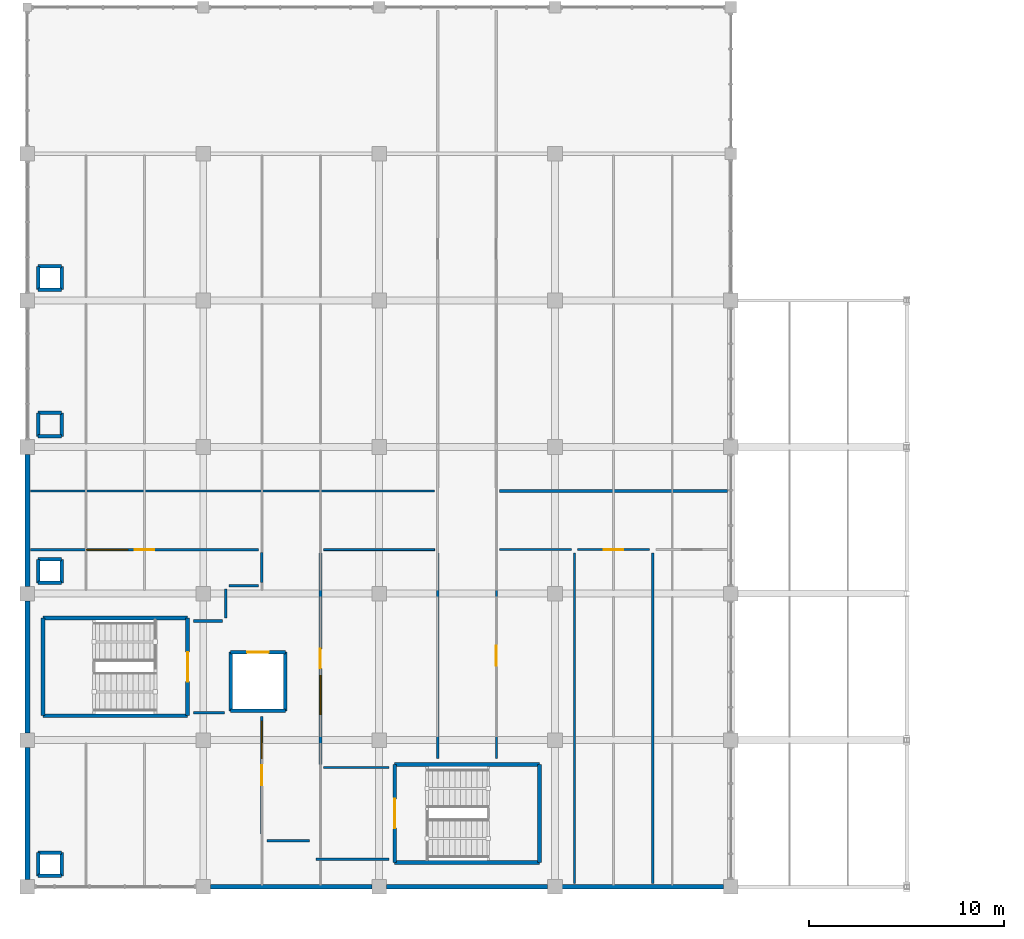
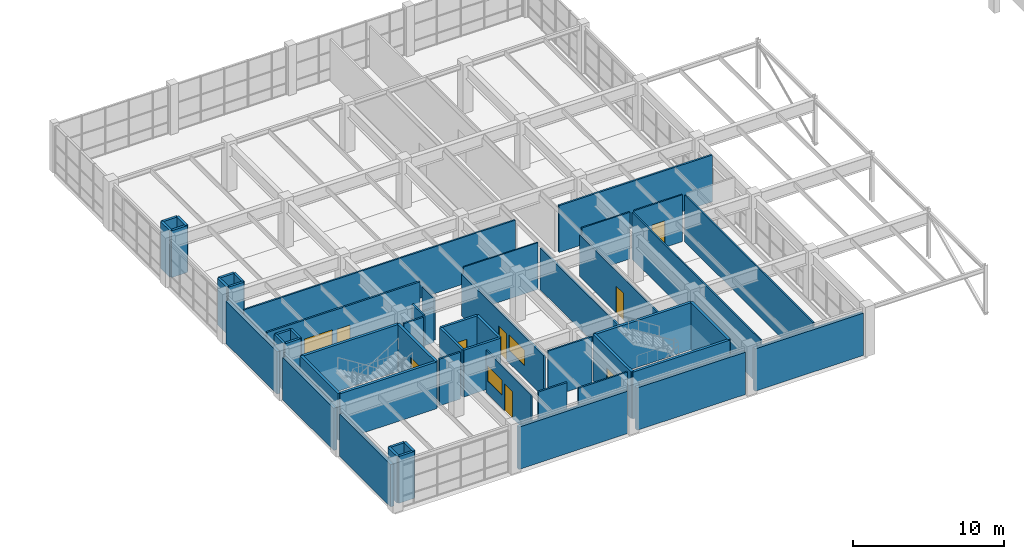
# One storey, part 65 of 76: 54 walls, 8 doors, 3 windows, 11 openings.
"""IFC4 building model written with IfcOpenShell, lengths in metres."""

from ifc_helpers import new_model, si_unit, direction, frame, frame_2d, origin, place, context, subcontext, project, spatial, rectangle, extrude, material, layer, layer_set, type_object, element, fill, save


model = new_model("IFC4")

# Units and contexts
model_context = context("Model", 3, precision=1e-05, world=origin(), true_north=direction((0.0, 1.0)))
body_context = subcontext(model_context, "Body", "Model", "MODEL_VIEW")
ifc_project = project(units=[si_unit("LENGTHUNIT", "METRE"), si_unit("AREAUNIT", "SQUARE_METRE"), si_unit("VOLUMEUNIT", "CUBIC_METRE"), si_unit("PLANEANGLEUNIT", "RADIAN"), si_unit("MASSUNIT", "GRAM", prefix="KILO")], contexts=[model_context])

# Site, building, storey
site_placement = place(None, origin())
site = spatial("IfcSite", under=ifc_project, at=site_placement, CompositionType="ELEMENT")
building_placement = place(site_placement, origin())
building = spatial("IfcBuilding", under=site, at=building_placement, Name="Marnridge Secondary College", CompositionType="ELEMENT")
storey_placement = place(building_placement, frame((0.0, 0.0, 4.5)))
storey = spatial("IfcBuildingStorey", under=building, at=storey_placement, Name="L01", CompositionType="ELEMENT", Elevation=4.5)

# Wall
ifc_material_1 = material(Name="Concrete C40/50 (AS 3600 N40, 40 MPa)", Category="concrete")
ifc_layer_1 = layer(ifc_material_1, 0.199951171875)
ifc_layer_set_1 = layer_set([ifc_layer_1], Name="WT-CORE-RC200")
wall_type_1 = type_object("IfcWallType", Name="WT-CORE-RC200", PredefinedType="SHEAR", material=ifc_layer_set_1)
wall_1_placement = place(storey_placement, frame((0.800048828125, 8.75, 0.0), z_axis=(0.0, 0.0, 1.0), x_axis=(1.0, 0.0, 0.0)))
element("IfcWall", 1, at=wall_1_placement, inside=storey, type_object=wall_type_1, Name="Stair core shear wall WC-L01-0301", PredefinedType="SHEAR", context=body_context, shape_type="SweptSolid", body=[
    extrude(rectangle(XDim=7.39990234375, YDim=0.199951171875, at=frame_2d((3.699951171875, 0.0))), origin(), (0.0, 0.0, 1.0), 3.77001953125),
])

# Wall, opening, door
wall_2_placement = place(storey_placement, frame((8.199951171875, 8.75, 0.0), z_axis=(0.0, 0.0, 1.0), x_axis=(0.0, 1.0, 0.0)))
wall_2 = element("IfcWall", 2, at=wall_2_placement, inside=storey, type_object=wall_type_1, Name="Stair core shear wall WC-L01-0302", PredefinedType="SHEAR", context=body_context, shape_type="SweptSolid", body=[
    extrude(rectangle(XDim=5.0, YDim=0.199951171875, at=frame_2d((2.5, 0.0))), origin(), (0.0, 0.0, 1.0), 3.77001953125),
])
opening_1_placement = place(wall_2_placement, frame((1.75, 0.0, 0.0)))
opening_1 = element("IfcOpeningElement", 3, at=opening_1_placement, cuts=wall_2, Name="Opening DC-L01-014", PredefinedType="OPENING", context=body_context, shape_type="SweptSolid", body=[
    extrude(rectangle(XDim=1.5, YDim=2.14990234375, at=frame_2d((0.75, 1.074951171875))), frame((0.0, 0.10986328125, 0.0), z_axis=(0.0, -1.0, 0.0), x_axis=(1.0, 0.0, 0.0)), (0.0, 0.0, 1.0), 0.219970703125),
])
ifc_material_2 = material(Name="Fire-rated solid-core timber doorset", Category="wood")
door_type_1 = type_object("IfcDoorType", Name="DT-CORE-FD150", OperationType="DOUBLE_DOOR_SINGLE_SWING", PredefinedType="DOOR", material=ifc_material_2)
door_1_placement = place(opening_1_placement, origin())
door_1 = element("IfcDoor", 4, at=door_1_placement, inside=storey, type_object=door_type_1, Name="Fire stair door DC-L01-014", OperationType="DOUBLE_DOOR_SINGLE_SWING", OverallHeight=2.14990234375, OverallWidth=1.5, PredefinedType="DOOR", context=body_context, shape_type="SweptSolid", body=[
    extrude(rectangle(XDim=1.5, YDim=2.14990234375, at=frame_2d((0.75, 1.074951171875))), frame((0.0, 0.02490234375, 0.0), z_axis=(0.0, -1.0, 0.0), x_axis=(1.0, 0.0, 0.0)), (0.0, 0.0, 1.0), 0.050048828125),
])
fill(opening_1, door_1)

# Walls
wall_3_placement = place(storey_placement, frame((8.199951171875, 13.75, 0.0), z_axis=(0.0, 0.0, 1.0), x_axis=(-1.0, 0.0, 0.0)))
element("IfcWall", 5, at=wall_3_placement, inside=storey, type_object=wall_type_1, Name="Stair core shear wall WC-L01-0303", PredefinedType="SHEAR", context=body_context, shape_type="SweptSolid", body=[
    extrude(rectangle(XDim=7.39990234375, YDim=0.199951171875, at=frame_2d((3.699951171875, 0.0))), origin(), (0.0, 0.0, 1.0), 3.77001953125),
])
wall_4_placement = place(storey_placement, frame((0.800048828125, 13.75, 0.0), z_axis=(0.0, 0.0, 1.0), x_axis=(0.0, -1.0, 0.0)))
element("IfcWall", 6, at=wall_4_placement, inside=storey, type_object=wall_type_1, Name="Stair core shear wall WC-L01-0304", PredefinedType="SHEAR", context=body_context, shape_type="SweptSolid", body=[
    extrude(rectangle(XDim=5.0, YDim=0.199951171875, at=frame_2d((2.5, 0.0))), origin(), (0.0, 0.0, 1.0), 3.77001953125),
])
wall_5_placement = place(storey_placement, frame((18.800048828125, 1.25, 0.0), z_axis=(0.0, 0.0, 1.0), x_axis=(1.0, 0.0, 0.0)))
element("IfcWall", 7, at=wall_5_placement, inside=storey, type_object=wall_type_1, Name="Stair core shear wall WC-L01-0321", PredefinedType="SHEAR", context=body_context, shape_type="SweptSolid", body=[
    extrude(rectangle(XDim=7.39990234375, YDim=0.199951171875, at=frame_2d((3.699951171875, 0.0))), origin(), (0.0, 0.0, 1.0), 3.77001953125),
])
wall_6_placement = place(storey_placement, frame((26.199951171875, 1.25, 0.0), z_axis=(0.0, 0.0, 1.0), x_axis=(0.0, 1.0, 0.0)))
element("IfcWall", 8, at=wall_6_placement, inside=storey, type_object=wall_type_1, Name="Stair core shear wall WC-L01-0322", PredefinedType="SHEAR", context=body_context, shape_type="SweptSolid", body=[
    extrude(rectangle(XDim=5.0, YDim=0.199951171875, at=frame_2d((2.5, 0.0))), origin(), (0.0, 0.0, 1.0), 3.77001953125),
])
wall_7_placement = place(storey_placement, frame((26.199951171875, 6.25, 0.0), z_axis=(0.0, 0.0, 1.0), x_axis=(-1.0, 0.0, 0.0)))
element("IfcWall", 9, at=wall_7_placement, inside=storey, type_object=wall_type_1, Name="Stair core shear wall WC-L01-0323", PredefinedType="SHEAR", context=body_context, shape_type="SweptSolid", body=[
    extrude(rectangle(XDim=7.39990234375, YDim=0.199951171875, at=frame_2d((3.699951171875, 0.0))), origin(), (0.0, 0.0, 1.0), 3.77001953125),
])

# Wall, opening, door
wall_8_placement = place(storey_placement, frame((18.800048828125, 6.25, 0.0), z_axis=(0.0, 0.0, 1.0), x_axis=(0.0, -1.0, 0.0)))
wall_8 = element("IfcWall", 10, at=wall_8_placement, inside=storey, type_object=wall_type_1, Name="Stair core shear wall WC-L01-0324", PredefinedType="SHEAR", context=body_context, shape_type="SweptSolid", body=[
    extrude(rectangle(XDim=5.0, YDim=0.199951171875, at=frame_2d((2.5, 0.0))), origin(), (0.0, 0.0, 1.0), 3.77001953125),
])
opening_2_placement = place(wall_8_placement, frame((1.75, 0.0, 0.0)))
opening_2 = element("IfcOpeningElement", 11, at=opening_2_placement, cuts=wall_8, Name="Opening DC-L01-019", PredefinedType="OPENING", context=body_context, shape_type="SweptSolid", body=[
    extrude(rectangle(XDim=1.5, YDim=2.14990234375, at=frame_2d((0.75, 1.074951171875))), frame((0.0, 0.10986328125, 0.0), z_axis=(0.0, -1.0, 0.0), x_axis=(1.0, 0.0, 0.0)), (0.0, 0.0, 1.0), 0.219970703125),
])
door_2_placement = place(opening_2_placement, origin())
door_2 = element("IfcDoor", 12, at=door_2_placement, inside=storey, type_object=door_type_1, Name="Fire stair door DC-L01-019", OperationType="DOUBLE_DOOR_SINGLE_SWING", OverallHeight=2.14990234375, OverallWidth=1.5, PredefinedType="DOOR", context=body_context, shape_type="SweptSolid", body=[
    extrude(rectangle(XDim=1.5, YDim=2.14990234375, at=frame_2d((0.75, 1.074951171875))), frame((0.0, 0.02490234375, 0.0), z_axis=(0.0, -1.0, 0.0), x_axis=(1.0, 0.0, 0.0)), (0.0, 0.0, 1.0), 0.050048828125),
])
fill(opening_2, door_2)

# Walls
ifc_material_3 = material(Name="Concrete C40/50 (AS 3600 N40, 40 MPa)", Category="concrete")
ifc_layer_2 = layer(ifc_material_3, 0.25)
ifc_layer_set_2 = layer_set([ifc_layer_2], Name="WT-EXT-RC250")
wall_type_2 = type_object("IfcWallType", Name="WT-EXT-RC250", PredefinedType="SOLIDWALL", material=ifc_layer_set_2)
for number, where, z_axis, x_axis, name in (
    (13, (35.62890625, 0.0, 0.0), (0.0, 0.0, 1.0), (-1.0, 0.0, 0.0), "Exterior wall WE-L01-0121"),
    (14, (26.62890625, 0.0, 0.0), (0.0, 0.0, 1.0), (-1.0, 0.0, 0.0), "Exterior wall WE-L01-0122"),
    (15, (17.62890625, 0.0, 0.0), (0.0, 0.0, 1.0), (-1.0, 0.0, 0.0), "Exterior wall WE-L01-0123"),
):
    element("IfcWall", number, at=place(storey_placement, frame(where, z_axis=z_axis, x_axis=x_axis)), inside=storey, type_object=wall_type_2, Name=name, PredefinedType="SOLIDWALL", context=body_context, shape_type="SweptSolid", body=[
        extrude(rectangle(XDim=8.2578125, YDim=0.25, at=frame_2d((4.12890625, 0.0))), origin(), (0.0, 0.0, 1.0), 3.409912109375),
    ])
for number, where, z_axis, x_axis, name in (
    (16, (0.0, 0.37109375, 0.0), (0.0, 0.0, 1.0), (0.0, 1.0, 0.0), "Exterior wall WE-L01-0124"),
    (17, (0.0, 7.87109375, 0.0), (0.0, 0.0, 1.0), (0.0, 1.0, 0.0), "Exterior wall WE-L01-0125"),
    (18, (0.0, 15.37109375, 0.0), (0.0, 0.0, 1.0), (0.0, 1.0, 0.0), "Exterior wall WE-L01-0126"),
):
    element("IfcWall", number, at=place(storey_placement, frame(where, z_axis=z_axis, x_axis=x_axis)), inside=storey, type_object=wall_type_2, Name=name, PredefinedType="SOLIDWALL", context=body_context, shape_type="SweptSolid", body=[
        extrude(rectangle(XDim=6.7578125, YDim=0.25, at=frame_2d((3.37890625, 0.0))), origin(), (0.0, 0.0, 1.0), 3.409912109375),
    ])
ifc_material_4 = material(Name="Acoustic plasterboard partition Rw45", Category="gypsum")
ifc_layer_3 = layer(ifc_material_4, 0.1201171875)
ifc_layer_set_3 = layer_set([ifc_layer_3], Name="WT-PART-AC120")
wall_type_3 = type_object("IfcWallType", Name="WT-PART-AC120", PredefinedType="PARTITIONING", material=ifc_layer_set_3)
wall_9_placement = place(storey_placement, frame((18.5, 1.39990234375, 0.0), z_axis=(0.0, 0.0, 1.0), x_axis=(-1.0, 0.0, 0.0)))
element("IfcWall", 19, at=wall_9_placement, inside=storey, type_object=wall_type_3, Name="Interior partition WP-L01-0213", PredefinedType="PARTITIONING", context=body_context, shape_type="SweptSolid", body=[
    extrude(rectangle(XDim=3.739990234375, YDim=0.1201171875, at=frame_2d((1.8701171875, 0.0))), origin(), (0.0, 0.0, 1.0), 3.77001953125),
])

# Wall, openings, door, window
wall_10_placement = place(storey_placement, frame((12.0, 2.7099609375, 0.0), z_axis=(0.0, 0.0, 1.0), x_axis=(0.0, 1.0, 0.0)))
wall_10 = element("IfcWall", 20, at=wall_10_placement, inside=storey, type_object=wall_type_3, Name="Interior partition WP-L01-0215", PredefinedType="PARTITIONING", context=body_context, shape_type="SweptSolid", body=[
    extrude(rectangle(XDim=5.989990234375, YDim=0.1201171875, at=frame_2d((2.9951171875, 0.0))), origin(), (0.0, 0.0, 1.0), 3.362060546875),
])
opening_3_placement = place(wall_10_placement, frame((2.4951171875, 0.0, 0.0)))
opening_3 = element("IfcOpeningElement", 21, at=opening_3_placement, cuts=wall_10, Name="Opening DI-L01-0076", PredefinedType="OPENING", context=body_context, shape_type="SweptSolid", body=[
    extrude(rectangle(XDim=1.0, YDim=2.14990234375, at=frame_2d((0.5, 1.074951171875))), frame((0.0, 0.070068359375, 0.0), z_axis=(0.0, -1.0, 0.0), x_axis=(1.0, 0.0, 0.0)), (0.0, 0.0, 1.0), 0.14013671875),
])
opening_4_placement = place(wall_10_placement, frame((3.844970703125, 0.0, 1.02001953125)))
opening_4 = element("IfcOpeningElement", 22, at=opening_4_placement, cuts=wall_10, Name="Opening WNI-L01-011", PredefinedType="OPENING", context=body_context, shape_type="SweptSolid", body=[
    extrude(rectangle(XDim=1.919921875, YDim=1.239990234375, at=frame_2d((0.9599609375, 0.6201171875))), frame((0.0, 0.070068359375, 0.0), z_axis=(0.0, -1.0, 0.0), x_axis=(1.0, 0.0, 0.0)), (0.0, 0.0, 1.0), 0.14013671875),
])
ifc_material_5 = material(Name="Solid-core acoustic hoop-pine classroom doorset", Category="wood")
door_type_2 = type_object("IfcDoorType", Name="DT-CLS-100", OperationType="NOTDEFINED", PredefinedType="DOOR", material=ifc_material_5)
door_3_placement = place(opening_3_placement, origin())
door_3 = element("IfcDoor", 23, at=door_3_placement, inside=storey, type_object=door_type_2, Name="Interior door DI-L01-0076", OperationType="SINGLE_SWING_RIGHT", OverallHeight=2.14990234375, OverallWidth=1.0, PredefinedType="DOOR", context=body_context, shape_type="SweptSolid", body=[
    extrude(rectangle(XDim=1.0, YDim=2.14990234375, at=frame_2d((0.5, 1.074951171875))), frame((0.0, 0.02490234375, 0.0), z_axis=(0.0, -1.0, 0.0), x_axis=(1.0, 0.0, 0.0)), (0.0, 0.0, 1.0), 0.050048828125),
])
fill(opening_3, door_3)
ifc_material_6 = material(Name="Acoustic laminated interior vision glazing", Category="glass")
window_type_1 = type_object("IfcWindowType", Name="WN-BL-VAR11", PartitioningType="DOUBLE_PANEL_VERTICAL", PredefinedType="WINDOW", material=ifc_material_6)
window_1_placement = place(opening_4_placement, origin())
window_1 = element("IfcWindow", 24, at=window_1_placement, inside=storey, type_object=window_type_1, Name="Interior vision window WNI-L01-011", OverallHeight=1.239990234375, OverallWidth=1.919921875, PartitioningType="DOUBLE_PANEL_VERTICAL", PredefinedType="WINDOW", context=body_context, shape_type="SweptSolid", body=[
    extrude(rectangle(XDim=1.919921875, YDim=1.239990234375, at=frame_2d((0.9599609375, 0.6201171875))), frame((0.0, 0.030029296875, 0.0), z_axis=(0.0, -1.0, 0.0), x_axis=(1.0, 0.0, 0.0)), (0.0, 0.0, 1.0), 0.06005859375),
])
fill(opening_4, window_1)

# Walls
wall_11_placement = place(storey_placement, frame((15.159912109375, 6.10009765625, 0.0), z_axis=(0.0, 0.0, 1.0), x_axis=(1.0, 0.0, 0.0)))
element("IfcWall", 25, at=wall_11_placement, inside=storey, type_object=wall_type_3, Name="Interior partition WP-L01-0219", PredefinedType="PARTITIONING", context=body_context, shape_type="SweptSolid", body=[
    extrude(rectangle(XDim=3.340087890625, YDim=0.1201171875, at=frame_2d((1.669921875, 0.0))), origin(), (0.0, 0.0, 1.0), 3.77001953125),
])
wall_12_placement = place(storey_placement, frame((10.14990234375, 13.760009765625, 0.0), z_axis=(0.0, 0.0, 1.0), x_axis=(0.0, 1.0, 0.0)))
element("IfcWall", 26, at=wall_12_placement, inside=storey, type_object=wall_type_3, Name="Interior partition WP-L01-0221", PredefinedType="PARTITIONING", context=body_context, shape_type="SweptSolid", body=[
    extrude(rectangle(XDim=1.47998046875, YDim=0.1201171875, at=frame_2d((0.739990234375, 0.0))), origin(), (0.0, 0.0, 1.0), 3.77001953125),
])
wall_13_placement = place(storey_placement, frame((12.0, 15.56005859375, 0.0), z_axis=(0.0, 0.0, 1.0), x_axis=(0.0, 1.0, 0.0)))
element("IfcWall", 27, at=wall_13_placement, inside=storey, type_object=wall_type_3, Name="Interior partition WP-L01-0223", PredefinedType="PARTITIONING", context=body_context, shape_type="SweptSolid", body=[
    extrude(rectangle(XDim=1.530029296875, YDim=0.1201171875, at=frame_2d((0.76513671875, 0.0))), origin(), (0.0, 0.0, 1.0), 3.362060546875),
])
wall_14_placement = place(storey_placement, frame((0.159912109375, 20.25, 0.0), z_axis=(0.0, 0.0, 1.0), x_axis=(1.0, 0.0, 0.0)))
element("IfcWall", 28, at=wall_14_placement, inside=storey, type_object=wall_type_3, Name="Interior partition WP-L01-0225", PredefinedType="PARTITIONING", context=body_context, shape_type="SweptSolid", body=[
    extrude(rectangle(XDim=20.68017578125, YDim=0.1201171875, at=frame_2d((10.340087890625, 0.0))), origin(), (0.0, 0.0, 1.0), 3.77001953125),
])
ifc_material_7 = material(Name="Acoustic plasterboard partition Rw48", Category="gypsum")
ifc_layer_4 = layer(ifc_material_7, 0.135009765625)
ifc_layer_set_4 = layer_set([ifc_layer_4], Name="WT-PART-AC135")
wall_type_4 = type_object("IfcWallType", Name="WT-PART-AC135", PredefinedType="PARTITIONING", material=ifc_layer_set_4)
wall_15_placement = place(storey_placement, frame((10.10009765625, 8.89990234375, 0.0), z_axis=(0.0, 0.0, 1.0), x_axis=(-1.0, 0.0, 0.0)))
element("IfcWall", 29, at=wall_15_placement, inside=storey, type_object=wall_type_4, Name="Interior partition WP-L01-0212", PredefinedType="PARTITIONING", context=body_context, shape_type="SweptSolid", body=[
    extrude(rectangle(XDim=1.60009765625, YDim=0.135009765625, at=frame_2d((0.800048828125, 0.0))), origin(), (0.0, 0.0, 1.0), 3.77001953125),
])
wall_16_placement = place(storey_placement, frame((14.43994140625, 2.35009765625, 0.0), z_axis=(0.0, 0.0, 1.0), x_axis=(-1.0, 0.0, 0.0)))
element("IfcWall", 30, at=wall_16_placement, inside=storey, type_object=wall_type_4, Name="Interior partition WP-L01-0214", PredefinedType="PARTITIONING", context=body_context, shape_type="SweptSolid", body=[
    extrude(rectangle(XDim=2.179931640625, YDim=0.135009765625, at=frame_2d((1.08984375, 0.0))), origin(), (0.0, 0.0, 1.0), 3.77001953125),
])
wall_17_placement = place(storey_placement, frame((21.0, 6.550048828125, 0.0), z_axis=(0.0, 0.0, 1.0), x_axis=(0.0, 1.0, 0.0)))
element("IfcWall", 31, at=wall_17_placement, inside=storey, type_object=wall_type_4, Name="Interior partition WP-L01-0216", PredefinedType="PARTITIONING", context=body_context, shape_type="SweptSolid", body=[
    extrude(rectangle(XDim=10.5400390625, YDim=0.135009765625, at=frame_2d((5.27001953125, 0.0))), origin(), (0.0, 0.0, 1.0), 3.362060546875),
])

# Wall, openings, door, window
wall_18_placement = place(storey_placement, frame((15.0, 17.090087890625, 0.0), z_axis=(0.0, 0.0, 1.0), x_axis=(0.0, -1.0, 0.0)))
wall_18 = element("IfcWall", 32, at=wall_18_placement, inside=storey, type_object=wall_type_4, Name="Interior partition WP-L01-0218", PredefinedType="PARTITIONING", context=body_context, shape_type="SweptSolid", body=[
    extrude(rectangle(XDim=10.830078125, YDim=0.135009765625, at=frame_2d((5.4150390625, 0.0))), origin(), (0.0, 0.0, 1.0), 3.362060546875),
])
opening_5_placement = place(wall_18_placement, frame((4.9150390625, 0.0, 0.0)))
opening_5 = element("IfcOpeningElement", 33, at=opening_5_placement, cuts=wall_18, Name="Opening DI-L01-0077", PredefinedType="OPENING", context=body_context, shape_type="SweptSolid", body=[
    extrude(rectangle(XDim=1.0, YDim=2.14990234375, at=frame_2d((0.5, 1.074951171875))), frame((0.0, 0.077392578125, 0.0), z_axis=(0.0, -1.0, 0.0), x_axis=(1.0, 0.0, 0.0)), (0.0, 0.0, 1.0), 0.155029296875),
])
opening_6_placement = place(wall_18_placement, frame((6.264892578125, 0.0, 1.02001953125)))
opening_6 = element("IfcOpeningElement", 34, at=opening_6_placement, cuts=wall_18, Name="Opening WNI-L01-012", PredefinedType="OPENING", context=body_context, shape_type="SweptSolid", body=[
    extrude(rectangle(XDim=2.02001953125, YDim=1.239990234375, at=frame_2d((1.010009765625, 0.6201171875))), frame((0.0, 0.077392578125, 0.0), z_axis=(0.0, -1.0, 0.0), x_axis=(1.0, 0.0, 0.0)), (0.0, 0.0, 1.0), 0.155029296875),
])
door_4_placement = place(opening_5_placement, origin())
door_4 = element("IfcDoor", 35, at=door_4_placement, inside=storey, type_object=door_type_2, Name="Interior door DI-L01-0077", OperationType="SINGLE_SWING_LEFT", OverallHeight=2.14990234375, OverallWidth=1.0, PredefinedType="DOOR", context=body_context, shape_type="SweptSolid", body=[
    extrude(rectangle(XDim=1.0, YDim=2.14990234375, at=frame_2d((0.5, 1.074951171875))), frame((0.0, 0.02490234375, 0.0), z_axis=(0.0, -1.0, 0.0), x_axis=(1.0, 0.0, 0.0)), (0.0, 0.0, 1.0), 0.050048828125),
])
fill(opening_5, door_4)
ifc_material_8 = material(Name="Acoustic laminated interior vision glazing", Category="glass")
window_type_2 = type_object("IfcWindowType", Name="WN-BL-VAR12", PartitioningType="DOUBLE_PANEL_VERTICAL", PredefinedType="WINDOW", material=ifc_material_8)
window_2_placement = place(opening_6_placement, origin())
window_2 = element("IfcWindow", 36, at=window_2_placement, inside=storey, type_object=window_type_2, Name="Interior vision window WNI-L01-012", OverallHeight=1.239990234375, OverallWidth=2.02001953125, PartitioningType="DOUBLE_PANEL_VERTICAL", PredefinedType="WINDOW", context=body_context, shape_type="SweptSolid", body=[
    extrude(rectangle(XDim=2.02001953125, YDim=1.239990234375, at=frame_2d((1.010009765625, 0.6201171875))), frame((0.0, 0.030029296875, 0.0), z_axis=(0.0, -1.0, 0.0), x_axis=(1.0, 0.0, 0.0)), (0.0, 0.0, 1.0), 0.06005859375),
])
fill(opening_6, window_2)

# Walls
wall_19_placement = place(storey_placement, frame((8.5, 13.60009765625, 0.0), z_axis=(0.0, 0.0, 1.0), x_axis=(1.0, 0.0, 0.0)))
element("IfcWall", 37, at=wall_19_placement, inside=storey, type_object=wall_type_4, Name="Interior partition WP-L01-0220", PredefinedType="PARTITIONING", context=body_context, shape_type="SweptSolid", body=[
    extrude(rectangle(XDim=1.489990234375, YDim=0.135009765625, at=frame_2d((0.7451171875, 0.0))), origin(), (0.0, 0.0, 1.0), 3.77001953125),
])
wall_20_placement = place(storey_placement, frame((10.31005859375, 15.39990234375, 0.0), z_axis=(0.0, 0.0, 1.0), x_axis=(1.0, 0.0, 0.0)))
element("IfcWall", 38, at=wall_20_placement, inside=storey, type_object=wall_type_4, Name="Interior partition WP-L01-0222", PredefinedType="PARTITIONING", context=body_context, shape_type="SweptSolid", body=[
    extrude(rectangle(XDim=1.530029296875, YDim=0.135009765625, at=frame_2d((0.76513671875, 0.0))), origin(), (0.0, 0.0, 1.0), 2.77197265625),
])

# Wall, openings, door, window
wall_21_placement = place(storey_placement, frame((11.840087890625, 17.25, 0.0), z_axis=(0.0, 0.0, 1.0), x_axis=(-1.0, 0.0, 0.0)))
wall_21 = element("IfcWall", 39, at=wall_21_placement, inside=storey, type_object=wall_type_4, Name="Interior partition WP-L01-0224", PredefinedType="PARTITIONING", context=body_context, shape_type="SweptSolid", body=[
    extrude(rectangle(XDim=11.68017578125, YDim=0.135009765625, at=frame_2d((5.840087890625, 0.0))), origin(), (0.0, 0.0, 1.0), 3.77001953125),
])
opening_7_placement = place(wall_21_placement, frame((5.340087890625, 0.0, 0.0)))
opening_7 = element("IfcOpeningElement", 40, at=opening_7_placement, cuts=wall_21, Name="Opening DI-L01-0078", PredefinedType="OPENING", context=body_context, shape_type="SweptSolid", body=[
    extrude(rectangle(XDim=1.0, YDim=2.14990234375, at=frame_2d((0.5, 1.074951171875))), frame((0.0, 0.077392578125, 0.0), z_axis=(0.0, -1.0, 0.0), x_axis=(1.0, 0.0, 0.0)), (0.0, 0.0, 1.0), 0.155029296875),
])
opening_8_placement = place(wall_21_placement, frame((6.68994140625, 0.0, 1.02001953125)))
opening_8 = element("IfcOpeningElement", 41, at=opening_8_placement, cuts=wall_21, Name="Opening WNI-L01-013", PredefinedType="OPENING", context=body_context, shape_type="SweptSolid", body=[
    extrude(rectangle(XDim=2.139892578125, YDim=1.219970703125, at=frame_2d((1.06982421875, 0.60986328125))), frame((0.0, 0.077392578125, 0.0), z_axis=(0.0, -1.0, 0.0), x_axis=(1.0, 0.0, 0.0)), (0.0, 0.0, 1.0), 0.155029296875),
])
door_5_placement = place(opening_7_placement, origin())
door_5 = element("IfcDoor", 42, at=door_5_placement, inside=storey, type_object=door_type_2, Name="Interior door DI-L01-0078", OperationType="SINGLE_SWING_RIGHT", OverallHeight=2.14990234375, OverallWidth=1.0, PredefinedType="DOOR", context=body_context, shape_type="SweptSolid", body=[
    extrude(rectangle(XDim=1.0, YDim=2.14990234375, at=frame_2d((0.5, 1.074951171875))), frame((0.0, 0.02490234375, 0.0), z_axis=(0.0, -1.0, 0.0), x_axis=(1.0, 0.0, 0.0)), (0.0, 0.0, 1.0), 0.050048828125),
])
fill(opening_7, door_5)
ifc_material_9 = material(Name="Acoustic laminated interior vision glazing", Category="glass")
window_type_3 = type_object("IfcWindowType", Name="WN-BL-VAR13", PartitioningType="DOUBLE_PANEL_VERTICAL", PredefinedType="WINDOW", material=ifc_material_9)
window_3_placement = place(opening_8_placement, origin())
window_3 = element("IfcWindow", 43, at=window_3_placement, inside=storey, type_object=window_type_3, Name="Interior vision window WNI-L01-013", OverallHeight=1.219970703125, OverallWidth=2.139892578125, PartitioningType="DOUBLE_PANEL_VERTICAL", PredefinedType="WINDOW", context=body_context, shape_type="SweptSolid", body=[
    extrude(rectangle(XDim=2.139892578125, YDim=1.219970703125, at=frame_2d((1.06982421875, 0.60986328125))), frame((0.0, 0.030029296875, 0.0), z_axis=(0.0, -1.0, 0.0), x_axis=(1.0, 0.0, 0.0)), (0.0, 0.0, 1.0), 0.06005859375),
])
fill(opening_8, window_3)

# Walls
wall_22_placement = place(storey_placement, frame((24.159912109375, 20.25, 0.0), z_axis=(0.0, 0.0, 1.0), x_axis=(1.0, 0.0, 0.0)))
element("IfcWall", 44, at=wall_22_placement, inside=storey, type_object=wall_type_4, Name="Interior partition WP-L01-0228", PredefinedType="PARTITIONING", context=body_context, shape_type="SweptSolid", body=[
    extrude(rectangle(XDim=11.68017578125, YDim=0.135009765625, at=frame_2d((5.840087890625, 0.0))), origin(), (0.0, 0.0, 1.0), 3.77001953125),
])
ifc_material_10 = material(Name="Acoustic glazed studio partition system", Category="gypsum")
ifc_layer_5 = layer(ifc_material_10, 0.10009765625)
ifc_layer_set_5 = layer_set([ifc_layer_5], Name="WT-PART-GL100")
wall_type_5 = type_object("IfcWallType", Name="WT-PART-GL100", PredefinedType="PARTITIONING", material=ifc_layer_set_5)
wall_23_placement = place(storey_placement, frame((20.840087890625, 17.25, 0.0), z_axis=(0.0, 0.0, 1.0), x_axis=(-1.0, 0.0, 0.0)))
element("IfcWall", 45, at=wall_23_placement, inside=storey, type_object=wall_type_5, Name="Interior partition WP-L01-0217", PredefinedType="PARTITIONING", context=body_context, shape_type="SweptSolid", body=[
    extrude(rectangle(XDim=5.68017578125, YDim=0.10009765625, at=frame_2d((2.840087890625, 0.0))), origin(), (0.0, 0.0, 1.0), 3.77001953125),
])
ifc_material_11 = material(Name="Moisture-resistant plasterboard sanitary partition", Category="gypsum")
ifc_layer_6 = layer(ifc_material_11, 0.110107421875)
ifc_layer_set_6 = layer_set([ifc_layer_6], Name="WT-PART-WT110")
wall_type_6 = type_object("IfcWallType", Name="WT-PART-WT110", PredefinedType="PARTITIONING", material=ifc_layer_set_6)
wall_24_placement = place(storey_placement, frame((28.0, 0.159912109375, 0.0), z_axis=(0.0, 0.0, 1.0), x_axis=(0.0, 1.0, 0.0)))
element("IfcWall", 46, at=wall_24_placement, inside=storey, type_object=wall_type_6, Name="Interior partition WP-L01-0206", PredefinedType="PARTITIONING", context=body_context, shape_type="SweptSolid", body=[
    extrude(rectangle(XDim=16.93017578125, YDim=0.110107421875, at=frame_2d((8.465087890625, 0.0))), origin(), (0.0, 0.0, 1.0), 3.77001953125),
])

# Wall, opening, door
wall_25_placement = place(storey_placement, frame((24.0, 17.090087890625, 0.0), z_axis=(0.0, 0.0, 1.0), x_axis=(0.0, -1.0, 0.0)))
wall_25 = element("IfcWall", 47, at=wall_25_placement, inside=storey, type_object=wall_type_6, Name="Interior partition WP-L01-0207", PredefinedType="PARTITIONING", context=body_context, shape_type="SweptSolid", body=[
    extrude(rectangle(XDim=10.5400390625, YDim=0.110107421875, at=frame_2d((5.27001953125, 0.0))), origin(), (0.0, 0.0, 1.0), 3.362060546875),
])
opening_9_placement = place(wall_25_placement, frame((4.77001953125, 0.0, 0.0)))
opening_9 = element("IfcOpeningElement", 48, at=opening_9_placement, cuts=wall_25, Name="Opening DI-L01-0073", PredefinedType="OPENING", context=body_context, shape_type="SweptSolid", body=[
    extrude(rectangle(XDim=1.0, YDim=2.14990234375, at=frame_2d((0.5, 1.074951171875))), frame((0.0, 0.06494140625, 0.0), z_axis=(0.0, -1.0, 0.0), x_axis=(1.0, 0.0, 0.0)), (0.0, 0.0, 1.0), 0.130126953125),
])
door_6_placement = place(opening_9_placement, origin())
door_6 = element("IfcDoor", 49, at=door_6_placement, inside=storey, type_object=door_type_2, Name="Interior door DI-L01-0073", OperationType="SINGLE_SWING_LEFT", OverallHeight=2.14990234375, OverallWidth=1.0, PredefinedType="DOOR", context=body_context, shape_type="SweptSolid", body=[
    extrude(rectangle(XDim=1.0, YDim=2.14990234375, at=frame_2d((0.5, 1.074951171875))), frame((0.0, 0.02490234375, 0.0), z_axis=(0.0, -1.0, 0.0), x_axis=(1.0, 0.0, 0.0)), (0.0, 0.0, 1.0), 0.050048828125),
])
fill(opening_9, door_6)

# Walls
wall_26_placement = place(storey_placement, frame((27.840087890625, 17.25, 0.0), z_axis=(0.0, 0.0, 1.0), x_axis=(-1.0, 0.0, 0.0)))
element("IfcWall", 50, at=wall_26_placement, inside=storey, type_object=wall_type_6, Name="Interior partition WP-L01-0208", PredefinedType="PARTITIONING", context=body_context, shape_type="SweptSolid", body=[
    extrude(rectangle(XDim=3.68017578125, YDim=0.110107421875, at=frame_2d((1.840087890625, 0.0))), origin(), (0.0, 0.0, 1.0), 3.77001953125),
])
wall_27_placement = place(storey_placement, frame((32.0, 0.159912109375, 0.0), z_axis=(0.0, 0.0, 1.0), x_axis=(0.0, 1.0, 0.0)))
element("IfcWall", 51, at=wall_27_placement, inside=storey, type_object=wall_type_6, Name="Interior partition WP-L01-0209", PredefinedType="PARTITIONING", context=body_context, shape_type="SweptSolid", body=[
    extrude(rectangle(XDim=16.93017578125, YDim=0.110107421875, at=frame_2d((8.465087890625, 0.0))), origin(), (0.0, 0.0, 1.0), 3.77001953125),
])

# Wall, opening, door
wall_28_placement = place(storey_placement, frame((31.840087890625, 17.25, 0.0), z_axis=(0.0, 0.0, 1.0), x_axis=(-1.0, 0.0, 0.0)))
wall_28 = element("IfcWall", 52, at=wall_28_placement, inside=storey, type_object=wall_type_6, Name="Interior partition WP-L01-0210", PredefinedType="PARTITIONING", context=body_context, shape_type="SweptSolid", body=[
    extrude(rectangle(XDim=3.68017578125, YDim=0.110107421875, at=frame_2d((1.840087890625, 0.0))), origin(), (0.0, 0.0, 1.0), 3.77001953125),
])
opening_10_placement = place(wall_28_placement, frame((1.340087890625, 0.0, 0.0)))
opening_10 = element("IfcOpeningElement", 53, at=opening_10_placement, cuts=wall_28, Name="Opening DI-L01-0074", PredefinedType="OPENING", context=body_context, shape_type="SweptSolid", body=[
    extrude(rectangle(XDim=1.0, YDim=2.14990234375, at=frame_2d((0.5, 1.074951171875))), frame((0.0, 0.06494140625, 0.0), z_axis=(0.0, -1.0, 0.0), x_axis=(1.0, 0.0, 0.0)), (0.0, 0.0, 1.0), 0.130126953125),
])
door_7_placement = place(opening_10_placement, origin())
door_7 = element("IfcDoor", 54, at=door_7_placement, inside=storey, type_object=door_type_2, Name="Interior door DI-L01-0074", OperationType="SINGLE_SWING_RIGHT", OverallHeight=2.14990234375, OverallWidth=1.0, PredefinedType="DOOR", context=body_context, shape_type="SweptSolid", body=[
    extrude(rectangle(XDim=1.0, YDim=2.14990234375, at=frame_2d((0.5, 1.074951171875))), frame((0.0, 0.02490234375, 0.0), z_axis=(0.0, -1.0, 0.0), x_axis=(1.0, 0.0, 0.0)), (0.0, 0.0, 1.0), 0.050048828125),
])
fill(opening_10, door_7)

# Walls
ifc_material_12 = material(Name="Concrete C40/50 (AS 3600 N40, 40 MPa)", Category="concrete")
ifc_layer_7 = layer(ifc_material_12, 0.179931640625)
ifc_layer_set_7 = layer_set([ifc_layer_7], Name="WT-SHAFT-RC180")
wall_type_7 = type_object("IfcWallType", Name="WT-SHAFT-RC180", PredefinedType="SHEAR", material=ifc_layer_set_7)
for number, where, z_axis, x_axis, name in (
    (55, (1.75, 0.550048828125, 0.0), (0.0, 0.0, 1.0), (-1.0, 0.0, 0.0), "Service riser shaft wall WR-L01-0101"),
    (56, (0.550048828125, 0.550048828125, 0.0), (0.0, 0.0, 1.0), (0.0, 1.0, 0.0), "Service riser shaft wall WR-L01-0102"),
    (57, (0.550048828125, 1.75, 0.0), (0.0, 0.0, 1.0), (1.0, 0.0, 0.0), "Service riser shaft wall WR-L01-0103"),
    (58, (1.75, 1.75, 0.0), (0.0, 0.0, 1.0), (0.0, -1.0, 0.0), "Service riser shaft wall WR-L01-0104"),
    (59, (1.75, 15.550048828125, 0.0), (0.0, 0.0, 1.0), (-1.0, 0.0, 0.0), "Service riser shaft wall WR-L01-0105"),
    (60, (0.550048828125, 15.550048828125, 0.0), (0.0, 0.0, 1.0), (0.0, 1.0, 0.0), "Service riser shaft wall WR-L01-0106"),
    (61, (0.550048828125, 16.75, 0.0), (0.0, 0.0, 1.0), (1.0, 0.0, 0.0), "Service riser shaft wall WR-L01-0107"),
    (62, (1.75, 16.75, 0.0), (0.0, 0.0, 1.0), (0.0, -1.0, 0.0), "Service riser shaft wall WR-L01-0108"),
    (63, (1.75, 30.550048828125, 0.0), (0.0, 0.0, 1.0), (-1.0, 0.0, 0.0), "Service riser shaft wall WR-L01-0109"),
    (64, (0.550048828125, 30.550048828125, 0.0), (0.0, 0.0, 1.0), (0.0, 1.0, 0.0), "Service riser shaft wall WR-L01-0110"),
    (65, (0.550048828125, 31.75, 0.0), (0.0, 0.0, 1.0), (1.0, 0.0, 0.0), "Service riser shaft wall WR-L01-0111"),
    (66, (1.75, 31.75, 0.0), (0.0, 0.0, 1.0), (0.0, -1.0, 0.0), "Service riser shaft wall WR-L01-0112"),
    (67, (1.75, 23.050048828125, 0.0), (0.0, 0.0, 1.0), (-1.0, 0.0, 0.0), "Service riser shaft wall WR-L01-0117"),
    (68, (0.550048828125, 23.050048828125, 0.0), (0.0, 0.0, 1.0), (0.0, 1.0, 0.0), "Service riser shaft wall WR-L01-0118"),
    (69, (0.550048828125, 24.25, 0.0), (0.0, 0.0, 1.0), (1.0, 0.0, 0.0), "Service riser shaft wall WR-L01-0119"),
    (70, (1.75, 24.25, 0.0), (0.0, 0.0, 1.0), (0.0, -1.0, 0.0), "Service riser shaft wall WR-L01-0120"),
):
    element("IfcWall", number, at=place(storey_placement, frame(where, z_axis=z_axis, x_axis=x_axis)), inside=storey, type_object=wall_type_7, Name=name, PredefinedType="SHEAR", context=body_context, shape_type="SweptSolid", body=[
        extrude(rectangle(XDim=1.199951171875, YDim=0.179931640625, at=frame_2d((0.60009765625, 0.0))), origin(), (0.0, 0.0, 1.0), 3.77001953125),
    ])
wall_29_placement = place(storey_placement, frame((13.199951171875, 9.0, 0.0), z_axis=(0.0, 0.0, 1.0), x_axis=(-1.0, 0.0, 0.0)))
element("IfcWall", 71, at=wall_29_placement, inside=storey, type_object=wall_type_7, Name="Lift shaft wall WL-L01-0437", PredefinedType="SHEAR", context=body_context, shape_type="SweptSolid", body=[
    extrude(rectangle(XDim=2.800048828125, YDim=0.179931640625, at=frame_2d((1.39990234375, 0.0))), origin(), (0.0, 0.0, 1.0), 3.77001953125),
])
wall_30_placement = place(storey_placement, frame((10.39990234375, 9.0, 0.0), z_axis=(0.0, 0.0, 1.0), x_axis=(0.0, 1.0, 0.0)))
element("IfcWall", 72, at=wall_30_placement, inside=storey, type_object=wall_type_7, Name="Lift shaft wall WL-L01-0438", PredefinedType="SHEAR", context=body_context, shape_type="SweptSolid", body=[
    extrude(rectangle(XDim=3.0, YDim=0.179931640625, at=frame_2d((1.5, 0.0))), origin(), (0.0, 0.0, 1.0), 3.77001953125),
])

# Wall, opening, door
wall_31_placement = place(storey_placement, frame((10.39990234375, 12.0, 0.0), z_axis=(0.0, 0.0, 1.0), x_axis=(1.0, 0.0, 0.0)))
wall_31 = element("IfcWall", 73, at=wall_31_placement, inside=storey, type_object=wall_type_7, Name="Lift shaft wall WL-L01-0439", PredefinedType="SHEAR", context=body_context, shape_type="SweptSolid", body=[
    extrude(rectangle(XDim=2.800048828125, YDim=0.179931640625, at=frame_2d((1.39990234375, 0.0))), origin(), (0.0, 0.0, 1.0), 3.77001953125),
])
opening_11_placement = place(wall_31_placement, frame((0.85009765625, 0.0, 0.0)))
opening_11 = element("IfcOpeningElement", 74, at=opening_11_placement, cuts=wall_31, Name="Opening LD-LC-02-L01", PredefinedType="OPENING", context=body_context, shape_type="SweptSolid", body=[
    extrude(rectangle(XDim=1.10009765625, YDim=2.14990234375, at=frame_2d((0.550048828125, 1.074951171875))), frame((0.0, 0.099853515625, 0.0), z_axis=(0.0, -1.0, 0.0), x_axis=(1.0, 0.0, 0.0)), (0.0, 0.0, 1.0), 0.199951171875),
])
ifc_material_13 = material(Name="Stainless steel Grade 350 automatic sliding lift landing doorset", Category="steel")
door_type_3 = type_object("IfcDoorType", Name="DT-LIFT-LD110", OperationType="SLIDING_TO_LEFT", PredefinedType="DOOR", material=ifc_material_13)
door_8_placement = place(opening_11_placement, origin())
door_8 = element("IfcDoor", 75, at=door_8_placement, inside=storey, type_object=door_type_3, Name="Sliding lift landing door LD-LC-02-L01", OperationType="SLIDING_TO_LEFT", OverallHeight=2.14990234375, OverallWidth=1.10009765625, PredefinedType="DOOR", context=body_context, shape_type="SweptSolid", body=[
    extrude(rectangle(XDim=1.10009765625, YDim=2.14990234375, at=frame_2d((0.550048828125, 1.074951171875))), frame((0.0, 0.02490234375, 0.0), z_axis=(0.0, -1.0, 0.0), x_axis=(1.0, 0.0, 0.0)), (0.0, 0.0, 1.0), 0.050048828125),
])
fill(opening_11, door_8)

# Wall
wall_32_placement = place(storey_placement, frame((13.199951171875, 12.0, 0.0), z_axis=(0.0, 0.0, 1.0), x_axis=(0.0, -1.0, 0.0)))
element("IfcWall", 76, at=wall_32_placement, inside=storey, type_object=wall_type_7, Name="Lift shaft wall WL-L01-0440", PredefinedType="SHEAR", context=body_context, shape_type="SweptSolid", body=[
    extrude(rectangle(XDim=3.0, YDim=0.179931640625, at=frame_2d((1.5, 0.0))), origin(), (0.0, 0.0, 1.0), 3.77001953125),
])

save(model, "model.ifc")
